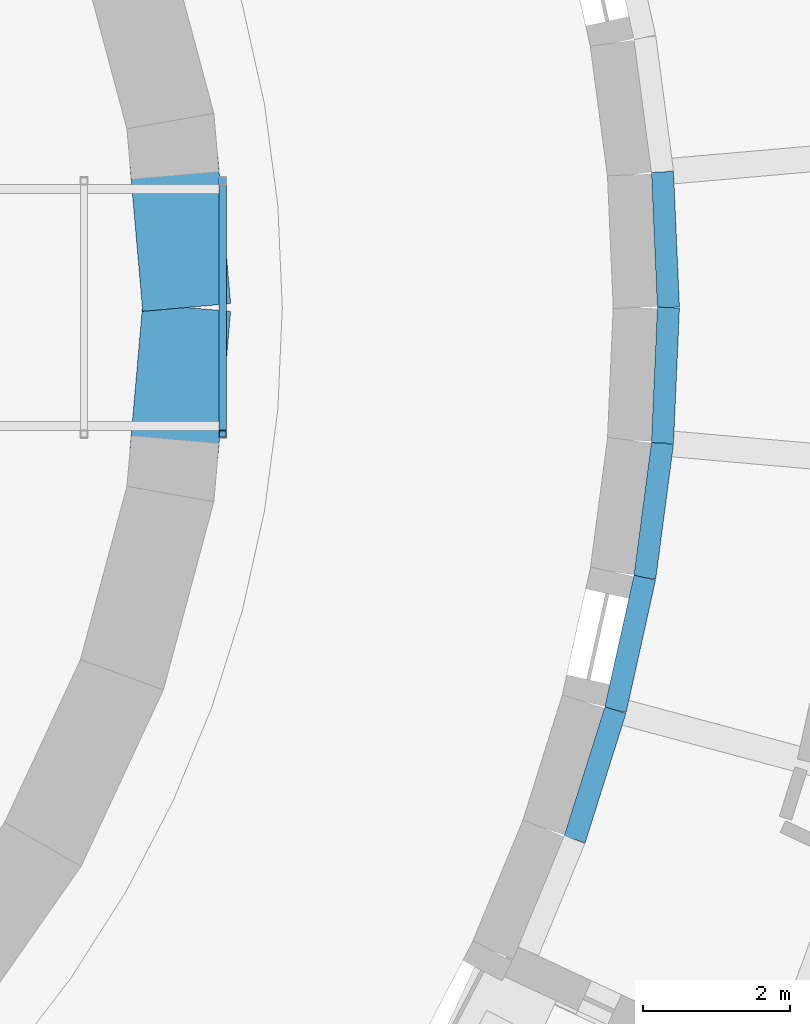
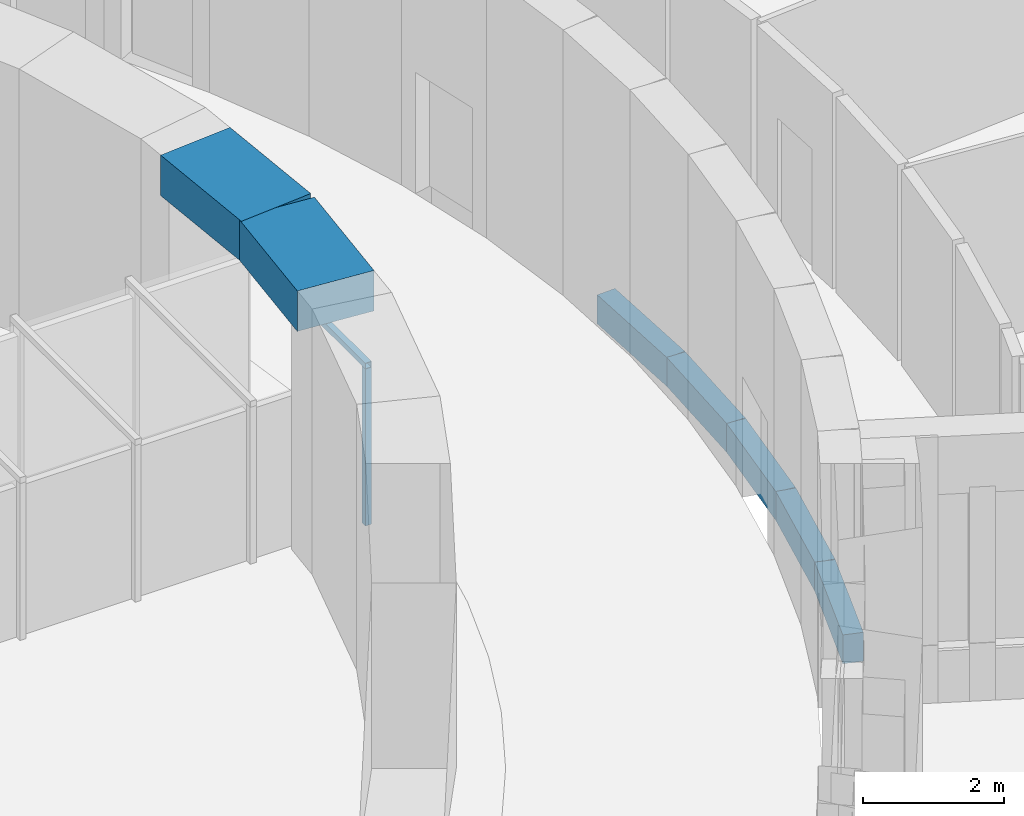
# One storey, part 15 of 85: 7 beams, 2 members, 1 element without a shape of its own.
"""IFC4 building model written with IfcOpenShell, lengths in metres."""

from ifc_helpers import new_model, si_unit, direction, frame, origin, origin_2d, place, context, subcontext, project, spatial, rectangle, hollow_rectangle, extrude, material, material_profile, profile_set, type_object, element, aggregate, save


model = new_model("IFC4")

# Units and contexts
model_context = context("Model", 3, precision=1e-05, world=origin(), true_north=direction((0.0, 1.0)))
body_context = subcontext(model_context, "Body", "Model", "MODEL_VIEW")
ifc_project = project(units=[si_unit("LENGTHUNIT", "METRE"), si_unit("AREAUNIT", "SQUARE_METRE"), si_unit("VOLUMEUNIT", "CUBIC_METRE"), si_unit("PLANEANGLEUNIT", "RADIAN"), si_unit("MASSUNIT", "GRAM", prefix="KILO")], contexts=[model_context])

# Site, building, storey
site_placement = place(None, origin())
site = spatial("IfcSite", under=ifc_project, at=site_placement, CompositionType="ELEMENT")
building_placement = place(site_placement, origin())
building = spatial("IfcBuilding", under=site, at=building_placement, Name="Volute Hill Aquarium", CompositionType="ELEMENT")
storey_placement = place(building_placement, origin())
storey = spatial("IfcBuildingStorey", under=building, at=storey_placement, Name="L01", CompositionType="ELEMENT", Elevation=0.0)

# Beams
ifc_material_1 = material(Name="Concrete C35/45", Category="concrete")
ifc_material_profile_1 = material_profile(ifc_material_1, rectangle(XDim=0.300048828125, YDim=0.5, at=origin_2d()), Name="RC edge beam 300x500")
ifc_profile_set_1 = profile_set([ifc_material_profile_1], Name="Concrete C35/45")
beam_type_1 = type_object("IfcBeamType", Name="Edge beam 300x500 C35/45", PredefinedType="BEAM", material=ifc_profile_set_1)
for number, where, z_axis, x_axis, name in (
    (1, (19.87451171875, -7.23388671875, -0.489990234375), (0.300745072312, 0.953704567191, 0.0), (-0.953704567191, 0.300745072312, 0.0), "bm/S4/L01/edgeD.20"),
    (2, (20.429443359375, -5.47412109375, -0.489990234375), (0.216454127071, 0.976292789523, 0.0), (-0.976292789523, 0.216454127071, 0.0), "bm/S4/L01/edgeD.21"),
):
    element("IfcBeam", number, at=place(storey_placement, frame(where, z_axis=z_axis, x_axis=x_axis)), inside=storey, type_object=beam_type_1, Name=name, PredefinedType="BEAM", context=body_context, shape_type="SweptSolid", body=[
        extrude(rectangle(XDim=0.300048828125, YDim=0.5, at=origin_2d()), origin(), (0.0, 0.0, 1.0), 1.84521484375),
    ])
beam_placement = place(storey_placement, frame((20.828857421875, -3.672607421875, -0.489990234375), z_axis=(0.130481898303, 0.991450691772, 0.0), x_axis=(-0.991450691772, 0.130481898303, 0.0)))
element("IfcBeam", 3, at=beam_placement, inside=storey, type_object=beam_type_1, Name="bm/S4/L01/edgeD.22", PredefinedType="BEAM", context=body_context, shape_type="SweptSolid", body=[
    extrude(rectangle(XDim=0.300048828125, YDim=0.5, at=origin_2d()), origin(), (0.0, 0.0, 1.0), 1.844970703125),
])
for number, where, z_axis, x_axis, name in (
    (4, (21.069580078125, -1.843505859375, -0.489990234375), (0.043661145699, 0.999046397499, 0.0), (-0.999046397499, 0.043661145699, 0.0), "bm/S4/L01/edgeD.23"),
    (5, (21.150146484375, 0.0, -0.489990234375), (-0.043661145699, 0.999046397499, 0.0), (-0.999046397499, -0.043661145699, 0.0), "bm/S4/L01/edgeD.24"),
):
    element("IfcBeam", number, at=place(storey_placement, frame(where, z_axis=z_axis, x_axis=x_axis)), inside=storey, type_object=beam_type_1, Name=name, PredefinedType="BEAM", context=body_context, shape_type="SweptSolid", body=[
        extrude(rectangle(XDim=0.300048828125, YDim=0.5, at=origin_2d()), origin(), (0.0, 0.0, 1.0), 1.84521484375),
    ])
ifc_material_2 = material(Name="Concrete C40/50", Category="concrete")
ifc_material_profile_2 = material_profile(ifc_material_2, rectangle(XDim=1.199951171875, YDim=0.699951171875, at=origin_2d()), Name="RC beam 1200x700")
ifc_profile_set_2 = profile_set([ifc_material_profile_2], Name="Concrete C40/50")
beam_type_2 = type_object("IfcBeamType", Name="Tank portal lintel RC 1200x700", PredefinedType="BEAM", material=ifc_profile_set_2)
for number, where, z_axis, x_axis, name in (
    (6, (14.60009765625, 0.0, 4.25), (-0.087166950281, 0.996193717496, 0.0), (-0.996193717496, -0.087166950281, 0.0), "bm/TK/L01/0"),
    (7, (14.42578125, -1.9921875, 4.25), (0.087166950281, 0.996193717496, 0.0), (-0.996193717496, 0.087166950281, 0.0), "bm/TK/L01/35"),
):
    element("IfcBeam", number, at=place(storey_placement, frame(where, z_axis=z_axis, x_axis=x_axis)), inside=storey, type_object=beam_type_2, Name=name, PredefinedType="BEAM", context=body_context, shape_type="SweptSolid", body=[
        extrude(rectangle(XDim=1.199951171875, YDim=0.699951171875, at=origin_2d()), origin(), (0.0, 0.0, 1.0), 1.999755859375),
    ])

# Curtain wall, members
ifc_material_3 = material(Name="Acrylic PMMA")
curtain_wall_type = type_object("IfcCurtainWallType", Name="Viewing tunnel acrylic assembly", PredefinedType="NOTDEFINED", material=ifc_material_3)
curtain_wall_placement = place(storey_placement, origin())
curtain_wall = element("IfcCurtainWall", 8, at=curtain_wall_placement, inside=storey, type_object=curtain_wall_type, Name="Viewing tunnel acrylic assembly", PredefinedType="NOTDEFINED")
ifc_material_4 = material(Name="Steel S355", Category="steel")
ifc_material_profile_3 = material_profile(ifc_material_4, hollow_rectangle(XDim=0.10009765625, YDim=0.10009765625, WallThickness=0.0048828125, at=origin_2d()), Name="RHS 100x100x5")
ifc_profile_set_3 = profile_set([ifc_material_profile_3], Name="Steel S355")
member_type = type_object("IfcMemberType", Name="Tunnel ring frame post RHS 100x100x5 S355", PredefinedType="USERDEFINED", material=ifc_profile_set_3)
member_1_placement = place(storey_placement, frame((15.090087890625, -1.719970703125, 0.0), z_axis=(0.0, 0.0, 1.0), x_axis=(1.0, 0.0, 0.0)))
member_1 = element("IfcMember", 9, at=member_1_placement, type_object=member_type, Name="Tunnel ring frame post 17", ObjectType="Tunnel frame", PredefinedType="USERDEFINED", context=body_context, shape_type="SweptSolid", body=[
    extrude(hollow_rectangle(XDim=0.10009765625, YDim=0.10009765625, WallThickness=0.0048828125, at=origin_2d()), origin(), (0.0, 0.0, 1.0), 2.719970703125),
])
member_2_placement = place(storey_placement, frame((15.090087890625, -1.77001953125, 2.77001953125), z_axis=(0.0, 1.0, 0.0), x_axis=(-1.0, 0.0, 0.0)))
member_2 = element("IfcMember", 10, at=member_2_placement, type_object=member_type, Name="Tunnel ring frame head 17", ObjectType="Tunnel frame", PredefinedType="USERDEFINED", context=body_context, shape_type="SweptSolid", body=[
    extrude(hollow_rectangle(XDim=0.10009765625, YDim=0.10009765625, WallThickness=0.0048828125, at=origin_2d()), origin(), (0.0, 0.0, 1.0), 3.5400390625),
])
aggregate(curtain_wall, [member_1, member_2])

save(model, "model.ifc")
